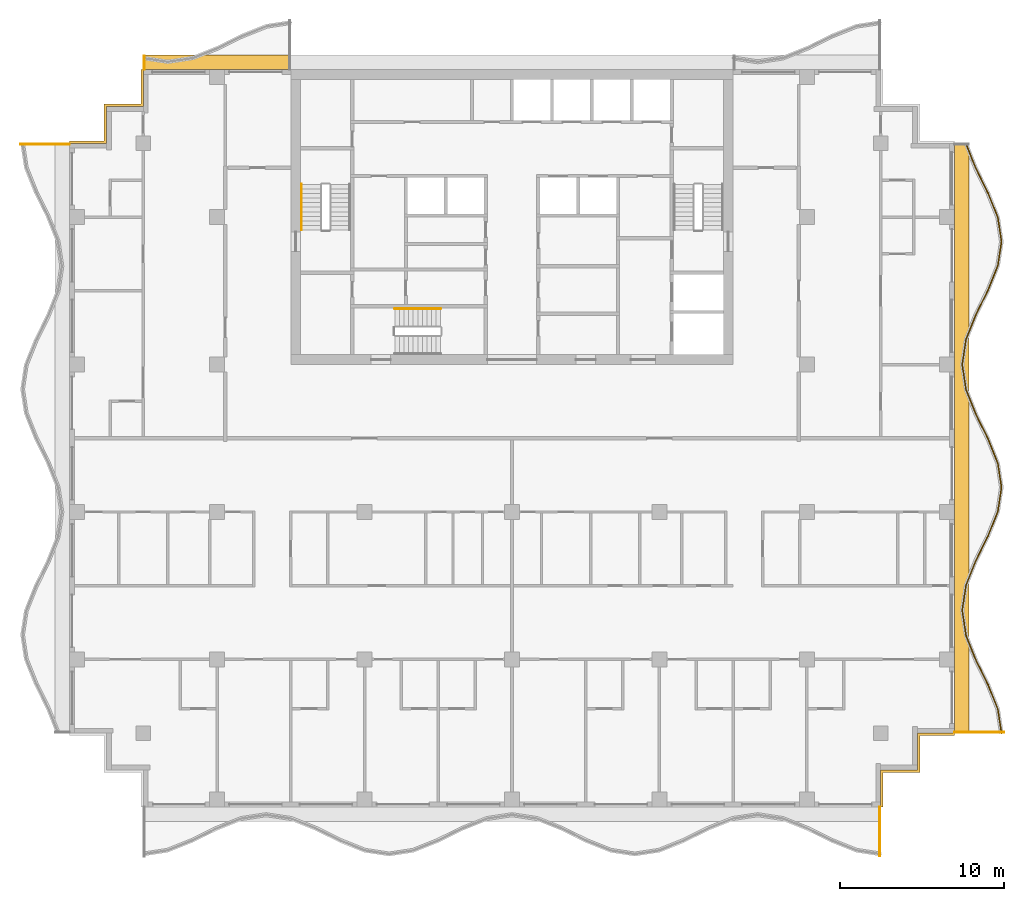
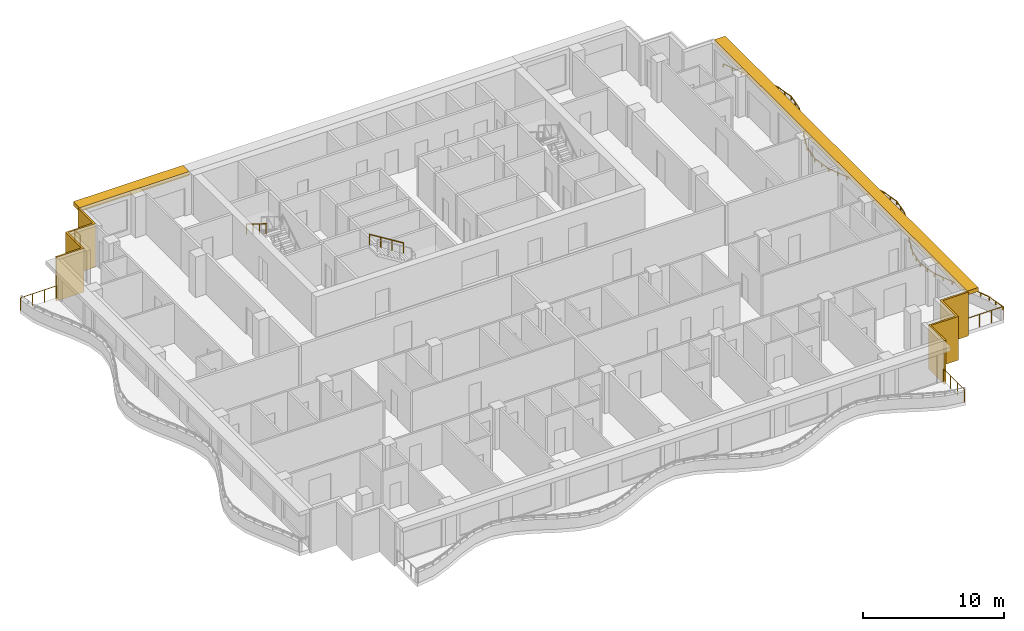
# One storey, part 10 of 11: 7 railings, 4 shading devices.
"""IFC4 building model written with IfcOpenShell, lengths in metres."""

from ifc_helpers import new_model, si_unit, direction, frame, origin, origin_2d, place, context, subcontext, project, spatial, polyline, rectangle, circle, outline, extrude, material, layer, layer_set, type_object, element, save


model = new_model("IFC4")

# Units and contexts
model_context = context("Model", 3, precision=1e-05, world=origin(), true_north=direction((0.0, 1.0)))
body_context = subcontext(model_context, "Body", "Model", "MODEL_VIEW")
ifc_project = project(units=[si_unit("LENGTHUNIT", "METRE"), si_unit("AREAUNIT", "SQUARE_METRE"), si_unit("VOLUMEUNIT", "CUBIC_METRE"), si_unit("PLANEANGLEUNIT", "RADIAN"), si_unit("MASSUNIT", "GRAM", prefix="KILO")], contexts=[model_context])

# Site, building, storey
site_placement = place(None, origin())
site = spatial("IfcSite", under=ifc_project, at=site_placement, CompositionType="ELEMENT")
building_placement = place(site_placement, origin())
building = spatial("IfcBuilding", under=site, at=building_placement, Name="Orbiselva Terraces", CompositionType="ELEMENT")
storey_placement = place(building_placement, frame((0.0, 0.0, 280.6)))
storey = spatial("IfcBuildingStorey", under=building, at=storey_placement, Name="L71", CompositionType="ELEMENT", Elevation=280.6)

# Railings
ifc_material_1 = material(Name="Stainless steel", Category="steel")
railing_type_1 = type_object("IfcRailingType", Name="CORE-HANDRAIL-900", PredefinedType="HANDRAIL", material=ifc_material_1)
railing_1_placement = place(storey_placement, frame((-12.85, 15.5, 2.072727)))
element("IfcRailing", 1, at=railing_1_placement, inside=storey, type_object=railing_type_1, Name="L71 S1 stair handrail 2", PredefinedType="HANDRAIL", context=body_context, shape_type="SweptSolid", body=[
    extrude(circle(Radius=0.024, at=origin_2d()), frame((0.0, 0.0, 0.876), z_axis=(0.0, -0.851088519012, 0.52502222125), x_axis=(1.0, 0.0, 0.0)), (0.0, 0.0, 1.0), 3.289905),
    extrude(circle(Radius=0.021, at=origin_2d()), origin(), (0.0, 0.0, 1.0), 0.852),
    extrude(circle(Radius=0.021, at=origin_2d()), frame((0.0, -0.933333, 0.575758)), (0.0, 0.0, 1.0), 0.852),
    extrude(circle(Radius=0.021, at=origin_2d()), frame((0.0, -1.866667, 1.151515)), (0.0, 0.0, 1.0), 0.852),
    extrude(circle(Radius=0.021, at=origin_2d()), frame((0.0, -2.8, 1.727273)), (0.0, 0.0, 1.0), 0.852),
])
railing_2_placement = place(storey_placement, frame((-4.35, 7.9, 2.072727)))
element("IfcRailing", 2, at=railing_2_placement, inside=storey, type_object=railing_type_1, Name="L71 S3 stair handrail 2", PredefinedType="HANDRAIL", context=body_context, shape_type="SweptSolid", body=[
    extrude(circle(Radius=0.024, at=origin_2d()), frame((0.0, 0.0, 0.876), z_axis=(-0.851088519012, 0.0, 0.52502222125), x_axis=(0.0, -1.0, 0.0)), (0.0, 0.0, 1.0), 3.289905),
    extrude(circle(Radius=0.021, at=origin_2d()), origin(), (0.0, 0.0, 1.0), 0.852),
    extrude(circle(Radius=0.021, at=origin_2d()), frame((-0.933333, 0.0, 0.575758)), (0.0, 0.0, 1.0), 0.852),
    extrude(circle(Radius=0.021, at=origin_2d()), frame((-1.866667, 0.0, 1.151515)), (0.0, 0.0, 1.0), 0.852),
    extrude(circle(Radius=0.021, at=origin_2d()), frame((-2.8, 0.0, 1.727273)), (0.0, 0.0, 1.0), 0.852),
])
ifc_material_2 = material(Name="Bonded two-ply safety glass balustrade, stainless steel posts", Category="steel")
railing_type_2 = type_object("IfcRailingType", Name="ENV-BALUSTRADE-1200", PredefinedType="BALUSTRADE", material=ifc_material_2)
railing_3_placement = place(storey_placement, frame((29.876434, -18.018879, 0.9)))
element("IfcRailing", 3, at=railing_3_placement, inside=storey, type_object=railing_type_2, Name="Balcony balustrade L71 E", PredefinedType="BALUSTRADE", context=body_context, shape_type="SweptSolid", body=[
    extrude(outline(polyline([(0.028868, 0.0), (0.014434, 0.025), (-0.014434, 0.025), (-0.028868, 0.0), (-0.014434, -0.025), (0.014434, -0.025), (0.028868, 0.0)])), frame((0.0, 0.0, 0.275), z_axis=(-0.151034103443, 0.988528552748, 0.0), x_axis=(-0.988528552748, -0.151034103443, 0.0)), (0.0, 0.0, 1.0), 1.503038),
    extrude(outline(polyline([(0.028868, 0.0), (0.014434, 0.025), (-0.014434, 0.025), (-0.028868, 0.0), (-0.014434, -0.025), (0.014434, -0.025), (0.028868, 0.0)])), frame((-0.22701, 1.485796, 0.275), z_axis=(-0.371391000387, 0.928476561272, 0.0), x_axis=(-0.928476561272, -0.371391000387, 0.0)), (0.0, 0.0, 1.0), 1.596261),
    extrude(outline(polyline([(0.028868, 0.0), (0.014434, 0.025), (-0.014434, 0.025), (-0.028868, 0.0), (-0.014434, -0.025), (0.014434, -0.025), (0.028868, 0.0)])), frame((-0.819847, 2.967887, 0.275), z_axis=(-0.443212307306, 0.896416672454, 0.0), x_axis=(-0.896416672454, -0.443212307306, 0.0)), (0.0, 0.0, 1.0), 1.673329),
    extrude(outline(polyline([(0.028868, 0.0), (0.014434, 0.025), (-0.014434, 0.025), (-0.028868, 0.0), (-0.014434, -0.025), (0.014434, -0.025), (0.028868, 0.0)])), frame((-1.561487, 4.467887, 0.275), z_axis=(-0.371390359967, 0.92847681744, 0.0), x_axis=(-0.92847681744, -0.371390359967, 0.0)), (0.0, 0.0, 1.0), 1.634838),
    extrude(outline(polyline([(0.028868, 0.0), (0.014434, 0.025), (-0.014434, 0.025), (-0.028868, 0.0), (-0.014434, -0.025), (0.014434, -0.025), (0.028868, 0.0)])), frame((-2.16865, 5.985796, 0.275), z_axis=(-0.151034211256, 0.988528536275, 0.0), x_axis=(-0.988528536275, -0.151034211256, 0.0)), (0.0, 0.0, 1.0), 1.550874),
    extrude(outline(polyline([(0.028868, 0.0), (0.014434, 0.025), (-0.014434, 0.025), (-0.028868, 0.0), (-0.014434, -0.025), (0.014434, -0.025), (0.028868, 0.0)])), frame((-2.402885, 7.518879, 0.275), z_axis=(0.151034211256, 0.988528536275, 0.0), x_axis=(-0.988528536275, 0.151034211256, 0.0)), (0.0, 0.0, 1.0), 1.550874),
    extrude(outline(polyline([(0.028868, 0.0), (0.014434, 0.025), (-0.014434, 0.025), (-0.028868, 0.0), (-0.014434, -0.025), (0.014434, -0.025), (0.028868, 0.0)])), frame((-2.16865, 9.051962, 0.275), z_axis=(0.371390359967, 0.92847681744, 0.0), x_axis=(-0.92847681744, 0.371390359967, 0.0)), (0.0, 0.0, 1.0), 1.634838),
    extrude(outline(polyline([(0.028868, 0.0), (0.014434, 0.025), (-0.014434, 0.025), (-0.028868, 0.0), (-0.014434, -0.025), (0.014434, -0.025), (0.028868, 0.0)])), frame((-1.561487, 10.569871, 0.275), z_axis=(0.443212307306, 0.896416672454, 0.0), x_axis=(-0.896416672454, 0.443212307306, 0.0)), (0.0, 0.0, 1.0), 1.673329),
    extrude(outline(polyline([(0.028868, 0.0), (0.014434, 0.025), (-0.014434, 0.025), (-0.028868, 0.0), (-0.014434, -0.025), (0.014434, -0.025), (0.028868, 0.0)])), frame((-0.819847, 12.069871, 0.275), z_axis=(0.371391000387, 0.928476561272, 0.0), x_axis=(-0.928476561272, 0.371391000387, 0.0)), (0.0, 0.0, 1.0), 1.596261),
    extrude(outline(polyline([(0.028868, 0.0), (0.014434, 0.025), (-0.014434, 0.025), (-0.028868, 0.0), (-0.014434, -0.025), (0.014434, -0.025), (0.028868, 0.0)])), frame((-0.22701, 13.551962, 0.275), z_axis=(0.151033749027, 0.988528606898, 0.0), x_axis=(-0.988528606898, 0.151033749027, 0.0)), (0.0, 0.0, 1.0), 1.48394),
    extrude(outline(polyline([(0.028868, 0.0), (0.014434, 0.025), (-0.014434, 0.025), (-0.028868, 0.0), (-0.014434, -0.025), (0.014434, -0.025), (0.028868, 0.0)])), frame((-0.002885, 15.018879, 0.275), z_axis=(-0.151033749027, 0.988528606898, 0.0), x_axis=(-0.988528606898, -0.151033749027, 0.0)), (0.0, 0.0, 1.0), 1.48394),
    extrude(outline(polyline([(0.028868, 0.0), (0.014434, 0.025), (-0.014434, 0.025), (-0.028868, 0.0), (-0.014434, -0.025), (0.014434, -0.025), (0.028868, 0.0)])), frame((-0.22701, 16.485796, 0.275), z_axis=(-0.371391000387, 0.928476561272, 0.0), x_axis=(-0.928476561272, -0.371391000387, 0.0)), (0.0, 0.0, 1.0), 1.596261),
    extrude(outline(polyline([(0.028868, 0.0), (0.014434, 0.025), (-0.014434, 0.025), (-0.028868, 0.0), (-0.014434, -0.025), (0.014434, -0.025), (0.028868, 0.0)])), frame((-0.819847, 17.967887, 0.275), z_axis=(-0.443212307306, 0.896416672454, 0.0), x_axis=(-0.896416672454, -0.443212307306, 0.0)), (0.0, 0.0, 1.0), 1.673329),
    extrude(outline(polyline([(0.028868, 0.0), (0.014434, 0.025), (-0.014434, 0.025), (-0.028868, 0.0), (-0.014434, -0.025), (0.014434, -0.025), (0.028868, 0.0)])), frame((-1.561487, 19.467887, 0.275), z_axis=(-0.371390359967, 0.92847681744, 0.0), x_axis=(-0.92847681744, -0.371390359967, 0.0)), (0.0, 0.0, 1.0), 1.634838),
    extrude(outline(polyline([(0.028868, 0.0), (0.014434, 0.025), (-0.014434, 0.025), (-0.028868, 0.0), (-0.014434, -0.025), (0.014434, -0.025), (0.028868, 0.0)])), frame((-2.16865, 20.985796, 0.275), z_axis=(-0.151034211256, 0.988528536275, 0.0), x_axis=(-0.988528536275, -0.151034211256, 0.0)), (0.0, 0.0, 1.0), 1.550874),
    extrude(outline(polyline([(0.028868, 0.0), (0.014434, 0.025), (-0.014434, 0.025), (-0.028868, 0.0), (-0.014434, -0.025), (0.014434, -0.025), (0.028868, 0.0)])), frame((-2.402885, 22.518879, 0.275), z_axis=(0.151034211256, 0.988528536275, 0.0), x_axis=(-0.988528536275, 0.151034211256, 0.0)), (0.0, 0.0, 1.0), 1.550874),
    extrude(outline(polyline([(0.028868, 0.0), (0.014434, 0.025), (-0.014434, 0.025), (-0.028868, 0.0), (-0.014434, -0.025), (0.014434, -0.025), (0.028868, 0.0)])), frame((-2.16865, 24.051962, 0.275), z_axis=(0.371390359967, 0.92847681744, 0.0), x_axis=(-0.92847681744, 0.371390359967, 0.0)), (0.0, 0.0, 1.0), 1.634838),
    extrude(outline(polyline([(0.028868, 0.0), (0.014434, 0.025), (-0.014434, 0.025), (-0.028868, 0.0), (-0.014434, -0.025), (0.014434, -0.025), (0.028868, 0.0)])), frame((-1.561487, 25.569871, 0.275), z_axis=(0.443212307306, 0.896416672454, 0.0), x_axis=(-0.896416672454, 0.443212307306, 0.0)), (0.0, 0.0, 1.0), 1.673329),
    extrude(outline(polyline([(0.028868, 0.0), (0.014434, 0.025), (-0.014434, 0.025), (-0.028868, 0.0), (-0.014434, -0.025), (0.014434, -0.025), (0.028868, 0.0)])), frame((-0.819847, 27.069871, 0.275), z_axis=(0.371391000387, 0.928476561272, 0.0), x_axis=(-0.928476561272, 0.371391000387, 0.0)), (0.0, 0.0, 1.0), 1.596261),
    extrude(outline(polyline([(0.028868, 0.0), (0.014434, 0.025), (-0.014434, 0.025), (-0.028868, 0.0), (-0.014434, -0.025), (0.014434, -0.025), (0.028868, 0.0)])), frame((-0.22701, 28.551962, 0.275), z_axis=(0.151033749027, 0.988528606898, 0.0), x_axis=(-0.988528606898, 0.151033749027, 0.0)), (0.0, 0.0, 1.0), 1.48394),
    extrude(outline(polyline([(0.028868, 0.0), (0.014434, 0.025), (-0.014434, 0.025), (-0.028868, 0.0), (-0.014434, -0.025), (0.014434, -0.025), (0.028868, 0.0)])), frame((-0.002885, 30.018879, 0.275), z_axis=(-0.151033749027, 0.988528606898, 0.0), x_axis=(-0.988528606898, -0.151033749027, 0.0)), (0.0, 0.0, 1.0), 1.48394),
    extrude(outline(polyline([(0.028868, 0.0), (0.014434, 0.025), (-0.014434, 0.025), (-0.028868, 0.0), (-0.014434, -0.025), (0.014434, -0.025), (0.028868, 0.0)])), frame((-0.22701, 31.485796, 0.275), z_axis=(-0.371391000387, 0.928476561272, 0.0), x_axis=(-0.928476561272, -0.371391000387, 0.0)), (0.0, 0.0, 1.0), 1.596261),
    extrude(outline(polyline([(0.028868, 0.0), (0.014434, 0.025), (-0.014434, 0.025), (-0.028868, 0.0), (-0.014434, -0.025), (0.014434, -0.025), (0.028868, 0.0)])), frame((-0.819847, 32.967887, 0.275), z_axis=(-0.443212307306, 0.896416672454, 0.0), x_axis=(-0.896416672454, -0.443212307306, 0.0)), (0.0, 0.0, 1.0), 1.673329),
    extrude(outline(polyline([(0.028868, 0.0), (0.014434, 0.025), (-0.014434, 0.025), (-0.028868, 0.0), (-0.014434, -0.025), (0.014434, -0.025), (0.028868, 0.0)])), frame((-1.561487, 34.467887, 0.275), z_axis=(-0.371390569957, 0.928476733444, 0.0), x_axis=(-0.928476733444, -0.371390569957, 0.0)), (0.0, 0.0, 1.0), 1.620469),
    extrude(rectangle(XDim=0.05, YDim=0.05, at=origin_2d()), origin(), (0.0, 0.0, 1.0), 0.25),
    extrude(rectangle(XDim=0.05, YDim=0.05, at=origin_2d()), frame((-0.113505, 0.742898, 0.0)), (0.0, 0.0, 1.0), 0.25),
    extrude(rectangle(XDim=0.05, YDim=0.05, at=origin_2d()), frame((-0.22701, 1.485796, 0.0)), (0.0, 0.0, 1.0), 0.25),
    extrude(rectangle(XDim=0.05, YDim=0.05, at=origin_2d()), frame((-0.523428, 2.226841, 0.0)), (0.0, 0.0, 1.0), 0.25),
    extrude(rectangle(XDim=0.05, YDim=0.05, at=origin_2d()), frame((-0.819847, 2.967887, 0.0)), (0.0, 0.0, 1.0), 0.25),
    extrude(rectangle(XDim=0.05, YDim=0.05, at=origin_2d()), frame((-1.190667, 3.717887, 0.0)), (0.0, 0.0, 1.0), 0.25),
    extrude(rectangle(XDim=0.05, YDim=0.05, at=origin_2d()), frame((-1.561487, 4.467887, 0.0)), (0.0, 0.0, 1.0), 0.25),
    extrude(rectangle(XDim=0.05, YDim=0.05, at=origin_2d()), frame((-1.865068, 5.226841, 0.0)), (0.0, 0.0, 1.0), 0.25),
    extrude(rectangle(XDim=0.05, YDim=0.05, at=origin_2d()), frame((-2.16865, 5.985796, 0.0)), (0.0, 0.0, 1.0), 0.25),
    extrude(rectangle(XDim=0.05, YDim=0.05, at=origin_2d()), frame((-2.285768, 6.752337, 0.0)), (0.0, 0.0, 1.0), 0.25),
    extrude(rectangle(XDim=0.05, YDim=0.05, at=origin_2d()), frame((-2.402885, 7.518879, 0.0)), (0.0, 0.0, 1.0), 0.25),
    extrude(rectangle(XDim=0.05, YDim=0.05, at=origin_2d()), frame((-2.285768, 8.28542, 0.0)), (0.0, 0.0, 1.0), 0.25),
    extrude(rectangle(XDim=0.05, YDim=0.05, at=origin_2d()), frame((-2.16865, 9.051962, 0.0)), (0.0, 0.0, 1.0), 0.25),
    extrude(rectangle(XDim=0.05, YDim=0.05, at=origin_2d()), frame((-1.865068, 9.810916, 0.0)), (0.0, 0.0, 1.0), 0.25),
    extrude(rectangle(XDim=0.05, YDim=0.05, at=origin_2d()), frame((-1.561487, 10.569871, 0.0)), (0.0, 0.0, 1.0), 0.25),
    extrude(rectangle(XDim=0.05, YDim=0.05, at=origin_2d()), frame((-1.190667, 11.319871, 0.0)), (0.0, 0.0, 1.0), 0.25),
    extrude(rectangle(XDim=0.05, YDim=0.05, at=origin_2d()), frame((-0.819847, 12.069871, 0.0)), (0.0, 0.0, 1.0), 0.25),
    extrude(rectangle(XDim=0.05, YDim=0.05, at=origin_2d()), frame((-0.523428, 12.810916, 0.0)), (0.0, 0.0, 1.0), 0.25),
    extrude(rectangle(XDim=0.05, YDim=0.05, at=origin_2d()), frame((-0.22701, 13.551962, 0.0)), (0.0, 0.0, 1.0), 0.25),
    extrude(rectangle(XDim=0.05, YDim=0.05, at=origin_2d()), frame((-0.114947, 14.28542, 0.0)), (0.0, 0.0, 1.0), 0.25),
    extrude(rectangle(XDim=0.05, YDim=0.05, at=origin_2d()), frame((-0.002885, 15.018879, 0.0)), (0.0, 0.0, 1.0), 0.25),
    extrude(rectangle(XDim=0.05, YDim=0.05, at=origin_2d()), frame((-0.114947, 15.752337, 0.0)), (0.0, 0.0, 1.0), 0.25),
    extrude(rectangle(XDim=0.05, YDim=0.05, at=origin_2d()), frame((-0.22701, 16.485796, 0.0)), (0.0, 0.0, 1.0), 0.25),
    extrude(rectangle(XDim=0.05, YDim=0.05, at=origin_2d()), frame((-0.523428, 17.226842, 0.0)), (0.0, 0.0, 1.0), 0.25),
    extrude(rectangle(XDim=0.05, YDim=0.05, at=origin_2d()), frame((-0.819847, 17.967887, 0.0)), (0.0, 0.0, 1.0), 0.25),
    extrude(rectangle(XDim=0.05, YDim=0.05, at=origin_2d()), frame((-1.190667, 18.717887, 0.0)), (0.0, 0.0, 1.0), 0.25),
    extrude(rectangle(XDim=0.05, YDim=0.05, at=origin_2d()), frame((-1.561487, 19.467887, 0.0)), (0.0, 0.0, 1.0), 0.25),
    extrude(rectangle(XDim=0.05, YDim=0.05, at=origin_2d()), frame((-1.865068, 20.226842, 0.0)), (0.0, 0.0, 1.0), 0.25),
    extrude(rectangle(XDim=0.05, YDim=0.05, at=origin_2d()), frame((-2.16865, 20.985796, 0.0)), (0.0, 0.0, 1.0), 0.25),
    extrude(rectangle(XDim=0.05, YDim=0.05, at=origin_2d()), frame((-2.285768, 21.752337, 0.0)), (0.0, 0.0, 1.0), 0.25),
    extrude(rectangle(XDim=0.05, YDim=0.05, at=origin_2d()), frame((-2.402885, 22.518879, 0.0)), (0.0, 0.0, 1.0), 0.25),
    extrude(rectangle(XDim=0.05, YDim=0.05, at=origin_2d()), frame((-2.285768, 23.28542, 0.0)), (0.0, 0.0, 1.0), 0.25),
    extrude(rectangle(XDim=0.05, YDim=0.05, at=origin_2d()), frame((-2.16865, 24.051962, 0.0)), (0.0, 0.0, 1.0), 0.25),
    extrude(rectangle(XDim=0.05, YDim=0.05, at=origin_2d()), frame((-1.865068, 24.810916, 0.0)), (0.0, 0.0, 1.0), 0.25),
    extrude(rectangle(XDim=0.05, YDim=0.05, at=origin_2d()), frame((-1.561487, 25.569871, 0.0)), (0.0, 0.0, 1.0), 0.25),
    extrude(rectangle(XDim=0.05, YDim=0.05, at=origin_2d()), frame((-1.190667, 26.319871, 0.0)), (0.0, 0.0, 1.0), 0.25),
    extrude(rectangle(XDim=0.05, YDim=0.05, at=origin_2d()), frame((-0.819847, 27.069871, 0.0)), (0.0, 0.0, 1.0), 0.25),
    extrude(rectangle(XDim=0.05, YDim=0.05, at=origin_2d()), frame((-0.523428, 27.810916, 0.0)), (0.0, 0.0, 1.0), 0.25),
    extrude(rectangle(XDim=0.05, YDim=0.05, at=origin_2d()), frame((-0.22701, 28.551962, 0.0)), (0.0, 0.0, 1.0), 0.25),
    extrude(rectangle(XDim=0.05, YDim=0.05, at=origin_2d()), frame((-0.114947, 29.28542, 0.0)), (0.0, 0.0, 1.0), 0.25),
    extrude(rectangle(XDim=0.05, YDim=0.05, at=origin_2d()), frame((-0.002885, 30.018879, 0.0)), (0.0, 0.0, 1.0), 0.25),
    extrude(rectangle(XDim=0.05, YDim=0.05, at=origin_2d()), frame((-0.114947, 30.752338, 0.0)), (0.0, 0.0, 1.0), 0.25),
    extrude(rectangle(XDim=0.05, YDim=0.05, at=origin_2d()), frame((-0.22701, 31.485796, 0.0)), (0.0, 0.0, 1.0), 0.25),
    extrude(rectangle(XDim=0.05, YDim=0.05, at=origin_2d()), frame((-0.523428, 32.226842, 0.0)), (0.0, 0.0, 1.0), 0.25),
    extrude(rectangle(XDim=0.05, YDim=0.05, at=origin_2d()), frame((-0.819847, 32.967887, 0.0)), (0.0, 0.0, 1.0), 0.25),
    extrude(rectangle(XDim=0.05, YDim=0.05, at=origin_2d()), frame((-1.190667, 33.717887, 0.0)), (0.0, 0.0, 1.0), 0.25),
    extrude(rectangle(XDim=0.05, YDim=0.05, at=origin_2d()), frame((-1.561487, 34.467887, 0.0)), (0.0, 0.0, 1.0), 0.25),
    extrude(rectangle(XDim=0.05, YDim=0.05, at=origin_2d()), frame((-1.8624, 35.220171, 0.0)), (0.0, 0.0, 1.0), 0.25),
    extrude(rectangle(XDim=0.05, YDim=0.05, at=origin_2d()), frame((-2.163314, 35.972455, 0.0)), (0.0, 0.0, 1.0), 0.25),
])
ifc_material_3 = material(Name="Stainless steel rail and posts", Category="steel")
railing_type_3 = type_object("IfcRailingType", Name="ENV-GUARD-1105", PredefinedType="BALUSTRADE", material=ifc_material_3)
railing_4_placement = place(storey_placement, frame((22.44, -25.499621, 0.0)))
element("IfcRailing", 4, at=railing_4_placement, inside=storey, type_object=railing_type_3, Name="Balcony end guard L71 S", PredefinedType="BALUSTRADE", context=body_context, shape_type="SweptSolid", body=[
    extrude(outline(polyline([(0.028868, 0.0), (0.014434, 0.025), (-0.014434, 0.025), (-0.028868, 0.0), (-0.014434, -0.025), (0.014434, -0.025), (0.028868, 0.0)])), frame((0.0, 0.0, 1.08), z_axis=(0.0, 1.0, 0.0), x_axis=(-1.0, 0.0, 0.0)), (0.0, 0.0, 1.0), 2.974621),
    extrude(rectangle(XDim=0.05, YDim=0.05, at=origin_2d()), origin(), (0.0, 0.0, 1.0), 1.055),
    extrude(rectangle(XDim=0.05, YDim=0.05, at=origin_2d()), frame((0.0, 0.99154, 0.0)), (0.0, 0.0, 1.0), 1.055),
    extrude(rectangle(XDim=0.05, YDim=0.05, at=origin_2d()), frame((0.0, 1.983081, 0.0)), (0.0, 0.0, 1.0), 1.055),
    extrude(rectangle(XDim=0.05, YDim=0.05, at=origin_2d()), frame((0.0, 2.974621, 0.0)), (0.0, 0.0, 1.0), 1.055),
])
railing_5_placement = place(storey_placement, frame((29.999621, -17.94, 0.0)))
element("IfcRailing", 5, at=railing_5_placement, inside=storey, type_object=railing_type_3, Name="Balcony end guard L71 E", PredefinedType="BALUSTRADE", context=body_context, shape_type="SweptSolid", body=[
    extrude(outline(polyline([(0.028868, 0.0), (0.014434, 0.025), (-0.014434, 0.025), (-0.028868, 0.0), (-0.014434, -0.025), (0.014434, -0.025), (0.028868, 0.0)])), frame((0.0, 0.0, 1.08), z_axis=(-1.0, 0.0, 0.0), x_axis=(0.0, -1.0, 0.0)), (0.0, 0.0, 1.0), 2.974621),
    extrude(rectangle(XDim=0.05, YDim=0.05, at=origin_2d()), origin(), (0.0, 0.0, 1.0), 1.055),
    extrude(rectangle(XDim=0.05, YDim=0.05, at=origin_2d()), frame((-0.99154, 0.0, 0.0)), (0.0, 0.0, 1.0), 1.055),
    extrude(rectangle(XDim=0.05, YDim=0.05, at=origin_2d()), frame((-1.983081, 0.0, 0.0)), (0.0, 0.0, 1.0), 1.055),
    extrude(rectangle(XDim=0.05, YDim=0.05, at=origin_2d()), frame((-2.974621, 0.0, 0.0)), (0.0, 0.0, 1.0), 1.055),
])
railing_6_placement = place(storey_placement, frame((-22.44, 23.311761, 0.0)))
element("IfcRailing", 6, at=railing_6_placement, inside=storey, type_object=railing_type_3, Name="Balcony end guard L71 NW", PredefinedType="BALUSTRADE", context=body_context, shape_type="SweptSolid", body=[
    extrude(outline(polyline([(0.028868, 0.0), (0.014434, 0.025), (-0.014434, 0.025), (-0.028868, 0.0), (-0.014434, -0.025), (0.014434, -0.025), (0.028868, 0.0)])), frame((0.0, 0.0, 1.08), z_axis=(0.0, -1.0, 0.0), x_axis=(1.0, 0.0, 0.0)), (0.0, 0.0, 1.0), 0.786761),
    extrude(rectangle(XDim=0.05, YDim=0.05, at=origin_2d()), origin(), (0.0, 0.0, 1.0), 1.055),
    extrude(rectangle(XDim=0.05, YDim=0.05, at=origin_2d()), frame((0.0, -0.786761, 0.0)), (0.0, 0.0, 1.0), 1.055),
])
railing_7_placement = place(storey_placement, frame((-29.999621, 17.94, 0.0)))
element("IfcRailing", 7, at=railing_7_placement, inside=storey, type_object=railing_type_3, Name="Balcony end guard L71 W", PredefinedType="BALUSTRADE", context=body_context, shape_type="SweptSolid", body=[
    extrude(outline(polyline([(0.028868, 0.0), (0.014434, 0.025), (-0.014434, 0.025), (-0.028868, 0.0), (-0.014434, -0.025), (0.014434, -0.025), (0.028868, 0.0)])), frame((0.0, 0.0, 1.08), z_axis=(1.0, 0.0, 0.0), x_axis=(0.0, 1.0, 0.0)), (0.0, 0.0, 1.0), 2.974621),
    extrude(rectangle(XDim=0.05, YDim=0.05, at=origin_2d()), origin(), (0.0, 0.0, 1.0), 1.055),
    extrude(rectangle(XDim=0.05, YDim=0.05, at=origin_2d()), frame((0.99154, 0.0, 0.0)), (0.0, 0.0, 1.0), 1.055),
    extrude(rectangle(XDim=0.05, YDim=0.05, at=origin_2d()), frame((1.983081, 0.0, 0.0)), (0.0, 0.0, 1.0), 1.055),
    extrude(rectangle(XDim=0.05, YDim=0.05, at=origin_2d()), frame((2.974621, 0.0, 0.0)), (0.0, 0.0, 1.0), 1.055),
])

# Shading devices
ifc_material_4 = material(Name="Terracotta louvre screen", Category="masonry")
ifc_layer_1 = layer(ifc_material_4, 0.15)
ifc_layer_set_1 = layer_set([ifc_layer_1], Name="Terracotta louvre screen")
shading_device_type_1 = type_object("IfcShadingDeviceType", Name="ENV-SCREEN-150", PredefinedType="USERDEFINED", material=ifc_layer_set_1)
shading_device_1_placement = place(storey_placement, frame((0.0, 0.0, -0.3)))
element("IfcShadingDevice", 8, at=shading_device_1_placement, inside=storey, type_object=shading_device_type_1, Name="Louvre screen L71 NW", ObjectType="SCREEN", PredefinedType="USERDEFINED", context=body_context, shape_type="SweptSolid", body=[
    extrude(outline(polyline([(-22.65, 22.5), (-22.65, 20.4), (-24.9, 20.4), (-24.9, 18.15), (-27.0, 18.15), (-27.0, 18.0), (-24.75, 18.0), (-24.75, 20.25), (-22.5, 20.25), (-22.5, 22.5), (-22.65, 22.5)])), origin(), (0.0, 0.0, 1.0), 3.8),
])
shading_device_2_placement = place(storey_placement, frame((0.0, 0.0, -0.3)))
element("IfcShadingDevice", 9, at=shading_device_2_placement, inside=storey, type_object=shading_device_type_1, Name="Louvre screen L71 SE", ObjectType="SCREEN", PredefinedType="USERDEFINED", context=body_context, shape_type="SweptSolid", body=[
    extrude(outline(polyline([(22.65, -22.5), (22.65, -20.4), (24.9, -20.4), (24.9, -18.15), (27.0, -18.15), (27.0, -18.0), (24.75, -18.0), (24.75, -20.25), (22.5, -20.25), (22.5, -22.5), (22.65, -22.5)])), origin(), (0.0, 0.0, 1.0), 3.8),
])
ifc_material_5 = material(Name="Terracotta baguette sunshade", Category="masonry")
ifc_layer_2 = layer(ifc_material_5, 0.35)
ifc_layer_set_2 = layer_set([ifc_layer_2], Name="Terracotta baguette sunshade")
shading_device_type_2 = type_object("IfcShadingDeviceType", Name="ENV-SUNSHADE-900x350", PredefinedType="USERDEFINED", material=ifc_layer_set_2)
shading_device_3_placement = place(storey_placement, frame((0.0, 0.0, 3.15)))
element("IfcShadingDevice", 10, at=shading_device_3_placement, inside=storey, type_object=shading_device_type_2, Name="Sunshade band L71 E", ObjectType="SUNSHADE", PredefinedType="USERDEFINED", context=body_context, shape_type="SweptSolid", body=[
    extrude(outline(polyline([(27.9, -18.0), (27.9, 18.0), (27.0, 18.0), (27.0, -18.0), (27.9, -18.0)])), origin(), (0.0, 0.0, 1.0), 0.35),
])
shading_device_4_placement = place(storey_placement, frame((0.0, 0.0, 3.15)))
element("IfcShadingDevice", 11, at=shading_device_4_placement, inside=storey, type_object=shading_device_type_2, Name="Sunshade band L71 NW", ObjectType="SUNSHADE", PredefinedType="USERDEFINED", context=body_context, shape_type="SweptSolid", body=[
    extrude(outline(polyline([(-13.5, 23.4), (-22.5, 23.4), (-22.5, 22.5), (-13.5, 22.5), (-13.5, 23.4)])), origin(), (0.0, 0.0, 1.0), 0.35),
])

save(model, "model.ifc")
